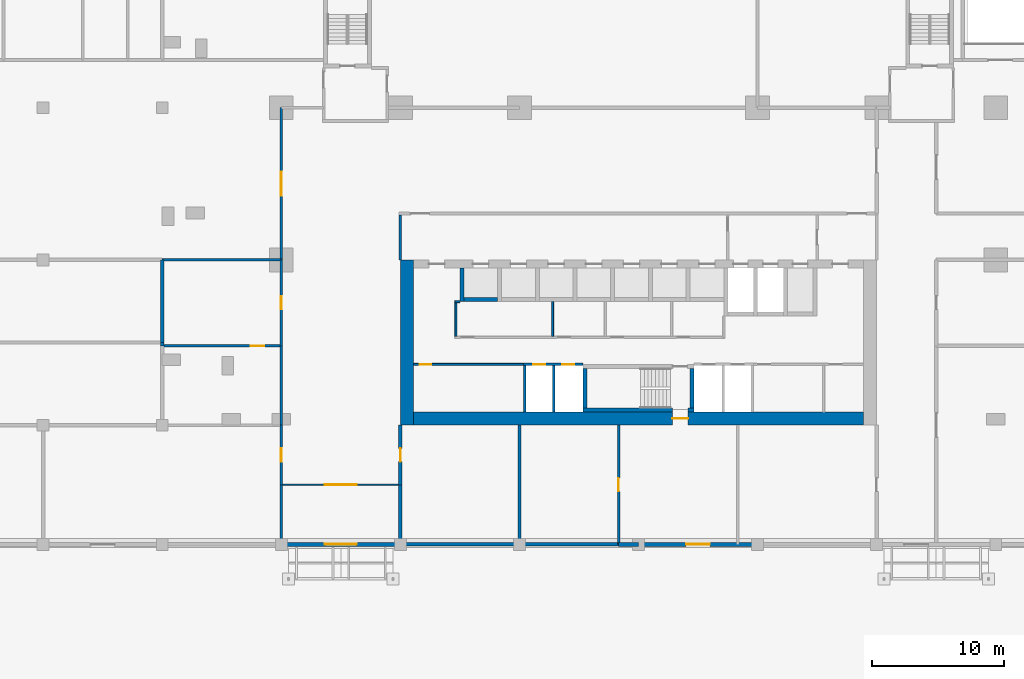
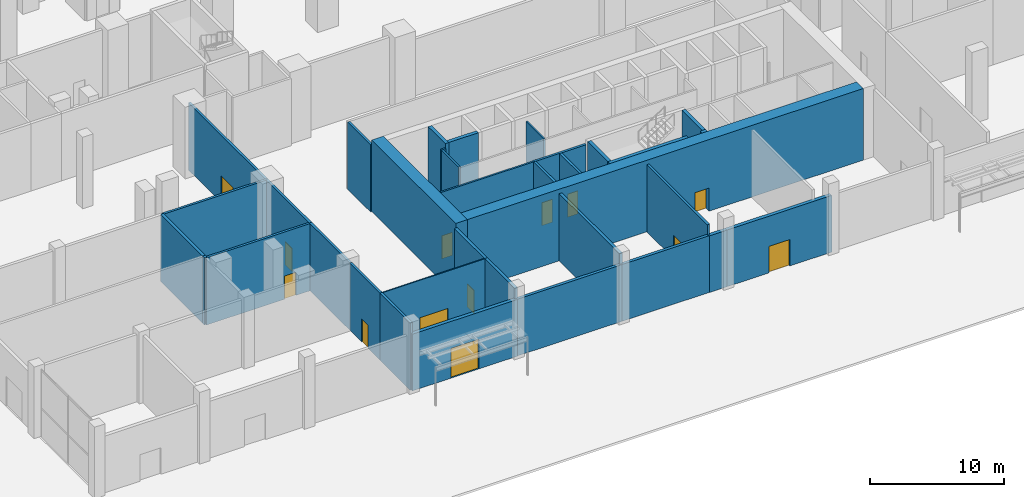
# One storey, part 29 of 39: 35 walls, 13 doors, 13 openings.
"""IFC4 building model written with IfcOpenShell, lengths in metres."""

from ifc_helpers import new_model, si_unit, direction, frame, frame_2d, origin, place, context, subcontext, project, spatial, rectangle, extrude, material, layer, layer_set, type_object, element, fill, save


model = new_model("IFC4")

# Units and contexts
model_context = context("Model", 3, precision=1e-05, world=origin(), true_north=direction((0.0, 1.0)))
body_context = subcontext(model_context, "Body", "Model", "MODEL_VIEW")
ifc_project = project(units=[si_unit("LENGTHUNIT", "METRE"), si_unit("AREAUNIT", "SQUARE_METRE"), si_unit("VOLUMEUNIT", "CUBIC_METRE"), si_unit("PLANEANGLEUNIT", "RADIAN"), si_unit("MASSUNIT", "GRAM", prefix="KILO")], contexts=[model_context])

# Site, building, storey
site_placement = place(None, origin())
site = spatial("IfcSite", under=ifc_project, at=site_placement, CompositionType="ELEMENT")
building_placement = place(site_placement, origin())
building = spatial("IfcBuilding", under=site, at=building_placement, Name="Brigalow Station Residences", CompositionType="ELEMENT")
storey_placement = place(building_placement, origin())
storey = spatial("IfcBuildingStorey", under=building, at=storey_placement, Name="L00", CompositionType="ELEMENT", Elevation=0.0)

# Wall
ifc_material_1 = material(Name="Concrete C80", Category="concrete")
ifc_layer_1 = layer(ifc_material_1, 1.0)
ifc_layer_set_1 = layer_set([ifc_layer_1], Name="CORE SHEAR WALL 1000 C80")
wall_type_1 = type_object("IfcWallType", Name="CORE SHEAR WALL 1000 C80", PredefinedType="SHEAR", material=ifc_layer_set_1)
wall_1_placement = place(storey_placement, frame((18.5, 0.0, 0.0), z_axis=(0.0, 0.0, 1.0), x_axis=(0.0, 1.0, 0.0)))
element("IfcWall", 1, at=wall_1_placement, inside=storey, type_object=wall_type_1, Name="CORE WALL OUT-W L00", PredefinedType="SHEAR", context=body_context, shape_type="SweptSolid", body=[
    extrude(rectangle(XDim=12.5, YDim=1.0, at=frame_2d((6.25, 0.0))), origin(), (0.0, 0.0, 1.0), 6.5),
])

# Wall, opening, door
wall_2_placement = place(storey_placement, frame((19.0, 0.5, 0.0), z_axis=(0.0, 0.0, 1.0), x_axis=(1.0, 0.0, 0.0)))
wall_2 = element("IfcWall", 2, at=wall_2_placement, inside=storey, type_object=wall_type_1, Name="CORE WALL OUT-S L00", PredefinedType="SHEAR", context=body_context, shape_type="SweptSolid", body=[
    extrude(rectangle(XDim=34.0, YDim=1.0, at=frame_2d((17.0, 0.0))), origin(), (0.0, 0.0, 1.0), 6.5),
])
opening_1_placement = place(wall_2_placement, frame((19.550048828125, 0.0, 0.0)))
opening_1 = element("IfcOpeningElement", 3, at=opening_1_placement, cuts=wall_2, Name="Opening D-5028", PredefinedType="OPENING", context=body_context, shape_type="SweptSolid", body=[
    extrude(rectangle(XDim=1.199951171875, YDim=2.10009765625, at=frame_2d((0.60009765625, 1.050048828125))), frame((0.0, 0.510009765625, 0.0), z_axis=(0.0, -1.0, 0.0), x_axis=(1.0, 0.0, 0.0)), (0.0, 0.0, 1.0), 1.02001953125),
])
ifc_material_2 = material(Name="Steel fire door leaves in steel frame", Category="steel")
door_type_1 = type_object("IfcDoorType", Name="EXIT DOOR 1200 x 2100 FD60S", OperationType="SINGLE_SWING_LEFT", PredefinedType="DOOR", material=ifc_material_2)
door_1_placement = place(opening_1_placement, frame((1.199951171875, 0.0, 0.0), z_axis=(0.0, 0.0, 1.0), x_axis=(-1.0, 0.0, 0.0)))
door_1 = element("IfcDoor", 4, at=door_1_placement, inside=storey, type_object=door_type_1, Name="D-5028", OperationType="SINGLE_SWING_LEFT", OverallHeight=2.10009765625, OverallWidth=1.199951171875, PredefinedType="DOOR", context=body_context, shape_type="SweptSolid", body=[
    extrude(rectangle(XDim=1.199951171875, YDim=2.10009765625, at=frame_2d((0.60009765625, 1.050048828125))), frame((0.0, 0.02490234375, 0.0), z_axis=(0.0, -1.0, 0.0), x_axis=(1.0, 0.0, 0.0)), (0.0, 0.0, 1.0), 0.050048828125),
])
fill(opening_1, door_1)

# Walls
ifc_material_3 = material(Name="Concrete C80", Category="concrete")
ifc_layer_2 = layer(ifc_material_3, 0.300048828125)
ifc_layer_set_2 = layer_set([ifc_layer_2], Name="CORE SHEAR WALL 300 C80")
wall_type_2 = type_object("IfcWallType", Name="CORE SHEAR WALL 300 C80", PredefinedType="SHEAR", material=ifc_layer_set_2)
wall_3_placement = place(storey_placement, frame((22.800048828125, 9.5, 0.0), z_axis=(0.0, 0.0, 1.0), x_axis=(1.0, 0.0, 0.0)))
element("IfcWall", 5, at=wall_3_placement, inside=storey, type_object=wall_type_2, Name="CORE WALL SH-P1-S L00", PredefinedType="SHEAR", context=body_context, shape_type="SweptSolid", body=[
    extrude(rectangle(XDim=2.550048828125, YDim=0.300048828125, at=frame_2d((1.27490234375, 0.0))), origin(), (0.0, 0.0, 1.0), 6.5),
])
wall_4_placement = place(storey_placement, frame((22.64990234375, 9.35009765625, 0.0), z_axis=(0.0, 0.0, 1.0), x_axis=(0.0, 1.0, 0.0)))
element("IfcWall", 6, at=wall_4_placement, inside=storey, type_object=wall_type_2, Name="CORE WALL SH-P1-W L00", PredefinedType="SHEAR", context=body_context, shape_type="SweptSolid", body=[
    extrude(rectangle(XDim=2.5498046875, YDim=0.300048828125, at=frame_2d((1.27490234375, 0.0))), origin(), (0.0, 0.0, 1.0), 6.5),
])
wall_5_placement = place(storey_placement, frame((31.800048828125, 1.14990234375, 0.0), z_axis=(0.0, 0.0, 1.0), x_axis=(1.0, 0.0, 0.0)))
element("IfcWall", 7, at=wall_5_placement, inside=storey, type_object=wall_type_2, Name="CORE WALL ST-S2-S-a L00", PredefinedType="SHEAR", context=body_context, shape_type="SweptSolid", body=[
    extrude(rectangle(XDim=6.75, YDim=0.300048828125, at=frame_2d((3.375, 0.0))), origin(), (0.0, 0.0, 1.0), 6.5),
])
wall_6_placement = place(storey_placement, frame((39.75, 1.14990234375, 0.0), z_axis=(0.0, 0.0, 1.0), x_axis=(1.0, 0.0, 0.0)))
element("IfcWall", 8, at=wall_6_placement, inside=storey, type_object=wall_type_2, Name="CORE WALL ST-S2-S-b L00", PredefinedType="SHEAR", context=body_context, shape_type="SweptSolid", body=[
    extrude(rectangle(XDim=0.449951171875, YDim=0.300048828125, at=frame_2d((0.22509765625, 0.0))), origin(), (0.0, 0.0, 1.0), 6.5),
])
for number, where, z_axis, x_axis, name in (
    (9, (31.949951171875, 1.300048828125, 0.0), (0.0, 0.0, 1.0), (0.0, 1.0, 0.0), "CORE WALL ST-S2-W L00"),
    (10, (40.050048828125, 1.300048828125, 0.0), (0.0, 0.0, 1.0), (0.0, 1.0, 0.0), "CORE WALL ST-S2-E L00"),
):
    element("IfcWall", number, at=place(storey_placement, frame(where, z_axis=z_axis, x_axis=x_axis)), inside=storey, type_object=wall_type_2, Name=name, PredefinedType="SHEAR", context=body_context, shape_type="SweptSolid", body=[
        extrude(rectangle(XDim=3.0, YDim=0.300048828125, at=frame_2d((1.5, 0.0))), origin(), (0.0, 0.0, 1.0), 6.5),
    ])

# Wall, opening, door
ifc_material_4 = material(Name="Glass and aluminium shopfront on a masonry base", Category="masonry")
ifc_layer_3 = layer(ifc_material_4, 0.300048828125)
ifc_layer_set_3 = layer_set([ifc_layer_3], Name="ENTRANCE INFILL 300")
wall_type_3 = type_object("IfcWallType", Name="ENTRANCE INFILL 300", PredefinedType="SOLIDWALL", material=ifc_layer_set_3)
wall_7_placement = place(storey_placement, frame((9.0, -9.0, 0.0), z_axis=(0.0, 0.0, 1.0), x_axis=(1.0, 0.0, 0.0)))
wall_7 = element("IfcWall", 11, at=wall_7_placement, inside=storey, type_object=wall_type_3, Name="Entrance Infill 300 Residents' Entrance Vestibule / OUT", PredefinedType="SOLIDWALL", context=body_context, shape_type="SweptSolid", body=[
    extrude(rectangle(XDim=9.0, YDim=0.300048828125, at=frame_2d((4.5, 0.0))), origin(), (0.0, 0.0, 1.0), 5.14794921875),
])
opening_2_placement = place(wall_7_placement, frame((3.300048828125, 0.0, 0.0)))
opening_2 = element("IfcOpeningElement", 12, at=opening_2_placement, cuts=wall_7, Name="Opening D-7103", PredefinedType="OPENING", context=body_context, shape_type="SweptSolid", body=[
    extrude(rectangle(XDim=2.39990234375, YDim=2.699951171875, at=frame_2d((1.199951171875, 1.35009765625))), frame((0.0, 0.16015625, 0.0), z_axis=(0.0, -1.0, 0.0), x_axis=(1.0, 0.0, 0.0)), (0.0, 0.0, 1.0), 0.320068359375),
])
ifc_material_5 = material(Name="Fire-rated glass leaves in steel frame", Category="steel")
door_type_2 = type_object("IfcDoorType", Name="DOOR DOUBLE 2400 GLAZED FIRE", OperationType="DOUBLE_DOOR_SINGLE_SWING", PredefinedType="DOOR", material=ifc_material_5)
door_2_placement = place(opening_2_placement, frame((2.39990234375, 0.0, 0.0), z_axis=(0.0, 0.0, 1.0), x_axis=(-1.0, 0.0, 0.0)))
door_2 = element("IfcDoor", 13, at=door_2_placement, inside=storey, type_object=door_type_2, Name="Residents' entrance outer door", OperationType="DOUBLE_DOOR_SINGLE_SWING", OverallHeight=2.699951171875, OverallWidth=2.39990234375, PredefinedType="DOOR", context=body_context, shape_type="SweptSolid", body=[
    extrude(rectangle(XDim=2.39990234375, YDim=2.699951171875, at=frame_2d((1.199951171875, 1.35009765625))), frame((0.0, 0.02490234375, 0.0), z_axis=(0.0, -1.0, 0.0), x_axis=(1.0, 0.0, 0.0)), (0.0, 0.0, 1.0), 0.050048828125),
])
fill(opening_2, door_2)

wall_8_placement = place(storey_placement, frame((36.0, -9.0, 0.0), z_axis=(0.0, 0.0, 1.0), x_axis=(1.0, 0.0, 0.0)))
wall_8 = element("IfcWall", 14, at=wall_8_placement, inside=storey, type_object=wall_type_3, Name="Entrance Infill 300 Stair S2 Exit Lobby / OUT", PredefinedType="SOLIDWALL", context=body_context, shape_type="SweptSolid", body=[
    extrude(rectangle(XDim=9.0, YDim=0.300048828125, at=frame_2d((4.5, 0.0))), origin(), (0.0, 0.0, 1.0), 5.14794921875),
])
opening_3_placement = place(wall_8_placement, frame((3.60009765625, 0.0, 0.0)))
opening_3 = element("IfcOpeningElement", 15, at=opening_3_placement, cuts=wall_8, Name="Opening D-7113", PredefinedType="OPENING", context=body_context, shape_type="SweptSolid", body=[
    extrude(rectangle(XDim=1.800048828125, YDim=2.39990234375, at=frame_2d((0.89990234375, 1.199951171875))), frame((0.0, 0.16015625, 0.0), z_axis=(0.0, -1.0, 0.0), x_axis=(1.0, 0.0, 0.0)), (0.0, 0.0, 1.0), 0.320068359375),
])
ifc_material_6 = material(Name="Steel fire door leaves in steel frame", Category="steel")
door_type_3 = type_object("IfcDoorType", Name="DOOR DOUBLE 1800 FIRE", OperationType="DOUBLE_DOOR_SINGLE_SWING", PredefinedType="DOOR", material=ifc_material_6)
door_3_placement = place(opening_3_placement, frame((1.800048828125, 0.0, 0.0), z_axis=(0.0, 0.0, 1.0), x_axis=(-1.0, 0.0, 0.0)))
door_3 = element("IfcDoor", 16, at=door_3_placement, inside=storey, type_object=door_type_3, Name="Stair S2 exit door", OperationType="DOUBLE_DOOR_SINGLE_SWING", OverallHeight=2.39990234375, OverallWidth=1.800048828125, PredefinedType="DOOR", context=body_context, shape_type="SweptSolid", body=[
    extrude(rectangle(XDim=1.800048828125, YDim=2.39990234375, at=frame_2d((0.89990234375, 1.199951171875))), frame((0.0, 0.02490234375, 0.0), z_axis=(0.0, -1.0, 0.0), x_axis=(1.0, 0.0, 0.0)), (0.0, 0.0, 1.0), 0.050048828125),
])
fill(opening_3, door_3)

# Walls
wall_9_placement = place(storey_placement, frame((34.5, -9.0, 0.0), z_axis=(0.0, 0.0, 1.0), x_axis=(1.0, 0.0, 0.0)))
element("IfcWall", 17, at=wall_9_placement, inside=storey, type_object=wall_type_3, Name="Entrance Infill 300 Stair S2 Exit Lobby / OUT", PredefinedType="SOLIDWALL", context=body_context, shape_type="SweptSolid", body=[
    extrude(rectangle(XDim=1.5, YDim=0.300048828125, at=frame_2d((0.75, 0.0))), origin(), (0.0, 0.0, 1.0), 5.14794921875),
])
ifc_material_7 = material(Name="Fire-rated plasterboard on steel studs", Category="steel")
ifc_layer_4 = layer(ifc_material_7, 0.25)
ifc_layer_set_4 = layer_set([ifc_layer_4], Name="FIRE PARTITION 250")
wall_type_4 = type_object("IfcWallType", Name="FIRE PARTITION 250", PredefinedType="PARTITIONING", material=ifc_layer_set_4)
wall_10_placement = place(storey_placement, frame((18.0, -9.0, 0.0), z_axis=(0.0, 0.0, 1.0), x_axis=(0.0, 1.0, 0.0)))
element("IfcWall", 18, at=wall_10_placement, inside=storey, type_object=wall_type_4, Name="Fire Partition 250 Residents' Entrance Vestibule / Fire Control Centre", PredefinedType="PARTITIONING", context=body_context, shape_type="SweptSolid", body=[
    extrude(rectangle(XDim=4.5, YDim=0.25, at=frame_2d((2.25, 0.0))), origin(), (0.0, 0.0, 1.0), 6.097900390625),
])

# Wall, opening, door
wall_11_placement = place(storey_placement, frame((18.0, -4.5, 0.0), z_axis=(0.0, 0.0, 1.0), x_axis=(0.0, 1.0, 0.0)))
wall_11 = element("IfcWall", 19, at=wall_11_placement, inside=storey, type_object=wall_type_4, Name="Fire Partition 250 Residents' Lobby / Fire Control Centre", PredefinedType="PARTITIONING", context=body_context, shape_type="SweptSolid", body=[
    extrude(rectangle(XDim=4.5, YDim=0.25, at=frame_2d((2.25, 0.0))), origin(), (0.0, 0.0, 1.0), 6.097900390625),
])
opening_4_placement = place(wall_11_placement, frame((1.75, 0.0, 0.0)))
opening_4 = element("IfcOpeningElement", 20, at=opening_4_placement, cuts=wall_11, Name="Opening D-7124", PredefinedType="OPENING", context=body_context, shape_type="SweptSolid", body=[
    extrude(rectangle(XDim=1.0, YDim=2.10009765625, at=frame_2d((0.5, 1.050048828125))), frame((0.0, 0.135009765625, 0.0), z_axis=(0.0, -1.0, 0.0), x_axis=(1.0, 0.0, 0.0)), (0.0, 0.0, 1.0), 0.27001953125),
])
ifc_material_8 = material(Name="Steel fire door leaf in steel frame", Category="steel")
door_type_4 = type_object("IfcDoorType", Name="DOOR SINGLE 1000 FIRE", OperationType="SINGLE_SWING_LEFT", PredefinedType="DOOR", material=ifc_material_8)
door_4_placement = place(opening_4_placement, frame((1.0, 0.0, 0.0), z_axis=(0.0, 0.0, 1.0), x_axis=(-1.0, 0.0, 0.0)))
door_4 = element("IfcDoor", 21, at=door_4_placement, inside=storey, type_object=door_type_4, Name="Fire control centre door", OperationType="SINGLE_SWING_LEFT", OverallHeight=2.10009765625, OverallWidth=1.0, PredefinedType="DOOR", context=body_context, shape_type="SweptSolid", body=[
    extrude(rectangle(XDim=1.0, YDim=2.10009765625, at=frame_2d((0.5, 1.050048828125))), frame((0.0, 0.02490234375, 0.0), z_axis=(0.0, -1.0, 0.0), x_axis=(1.0, 0.0, 0.0)), (0.0, 0.0, 1.0), 0.050048828125),
])
fill(opening_4, door_4)

# Walls
wall_12_placement = place(storey_placement, frame((27.0, -9.0, 0.0), z_axis=(0.0, 0.0, 1.0), x_axis=(0.0, 1.0, 0.0)))
element("IfcWall", 22, at=wall_12_placement, inside=storey, type_object=wall_type_4, Name="Fire Partition 250 Fire Control Centre / Residents' Storage Room", PredefinedType="PARTITIONING", context=body_context, shape_type="SweptSolid", body=[
    extrude(rectangle(XDim=9.0, YDim=0.25, at=frame_2d((4.5, 0.0))), origin(), (0.0, 0.0, 1.0), 6.097900390625),
])
wall_13_placement = place(storey_placement, frame((0.0, 6.0, 0.0), z_axis=(0.0, 0.0, 1.0), x_axis=(0.0, 1.0, 0.0)))
element("IfcWall", 23, at=wall_13_placement, inside=storey, type_object=wall_type_4, Name="Fire Partition 250 Concierge / Retail Unit 2", PredefinedType="PARTITIONING", context=body_context, shape_type="SweptSolid", body=[
    extrude(rectangle(XDim=0.25, YDim=0.25, at=frame_2d((0.125, 0.0))), origin(), (0.0, 0.0, 1.0), 6.097900390625),
])
wall_14_placement = place(storey_placement, frame((0.0, 6.25, 0.0), z_axis=(0.0, 0.0, 1.0), x_axis=(0.0, 1.0, 0.0)))
element("IfcWall", 24, at=wall_14_placement, inside=storey, type_object=wall_type_4, Name="Fire Partition 250 Concierge / Retail Unit 1", PredefinedType="PARTITIONING", context=body_context, shape_type="SweptSolid", body=[
    extrude(rectangle(XDim=6.25, YDim=0.25, at=frame_2d((3.125, 0.0))), origin(), (0.0, 0.0, 1.0), 6.097900390625),
])
wall_15_placement = place(storey_placement, frame((18.0, -9.0, 0.0), z_axis=(0.0, 0.0, 1.0), x_axis=(1.0, 0.0, 0.0)))
element("IfcWall", 25, at=wall_15_placement, inside=storey, type_object=wall_type_4, Name="Fire Partition 250 Fire Control Centre / OUT", PredefinedType="PARTITIONING", context=body_context, shape_type="SweptSolid", body=[
    extrude(rectangle(XDim=9.0, YDim=0.25, at=frame_2d((4.5, 0.0))), origin(), (0.0, 0.0, 1.0), 5.14794921875),
])
wall_16_placement = place(storey_placement, frame((27.0, -9.0, 0.0), z_axis=(0.0, 0.0, 1.0), x_axis=(1.0, 0.0, 0.0)))
element("IfcWall", 26, at=wall_16_placement, inside=storey, type_object=wall_type_4, Name="Fire Partition 250 Residents' Storage Room / OUT", PredefinedType="PARTITIONING", context=body_context, shape_type="SweptSolid", body=[
    extrude(rectangle(XDim=7.5, YDim=0.25, at=frame_2d((3.75, 0.0))), origin(), (0.0, 0.0, 1.0), 5.14794921875),
])

# Wall, openings, doors
ifc_material_9 = material(Name="Concrete blockwork", Category="masonry")
ifc_layer_5 = layer(ifc_material_9, 0.199951171875)
ifc_layer_set_5 = layer_set([ifc_layer_5], Name="FIRE RATED CORE PARTITION 200")
wall_type_5 = type_object("IfcWallType", Name="FIRE RATED CORE PARTITION 200", PredefinedType="PARTITIONING", material=ifc_layer_set_5)
wall_17_placement = place(storey_placement, frame((27.300048828125, 4.60009765625, 0.0), z_axis=(0.0, 0.0, 1.0), x_axis=(1.0, 0.0, 0.0)))
wall_17 = element("IfcWall", 27, at=wall_17_placement, inside=storey, type_object=wall_type_5, Name="PW-5017", PredefinedType="PARTITIONING", context=body_context, shape_type="SweptSolid", body=[
    extrude(rectangle(XDim=4.5, YDim=0.199951171875, at=frame_2d((2.25, 0.0))), origin(), (0.0, 0.0, 1.0), 6.097900390625),
])
opening_5_placement = place(wall_17_placement, frame((0.75, 0.0, 0.0)))
opening_5 = element("IfcOpeningElement", 28, at=opening_5_placement, cuts=wall_17, Name="Opening D-5007", PredefinedType="OPENING", context=body_context, shape_type="SweptSolid", body=[
    extrude(rectangle(XDim=0.89990234375, YDim=2.10009765625, at=frame_2d((0.449951171875, 1.050048828125))), frame((0.0, 0.10986328125, 0.0), z_axis=(0.0, -1.0, 0.0), x_axis=(1.0, 0.0, 0.0)), (0.0, 0.0, 1.0), 0.219970703125),
])
opening_6_placement = place(wall_17_placement, frame((2.949951171875, 0.0, 0.0)))
opening_6 = element("IfcOpeningElement", 29, at=opening_6_placement, cuts=wall_17, Name="Opening D-5008", PredefinedType="OPENING", context=body_context, shape_type="SweptSolid", body=[
    extrude(rectangle(XDim=0.89990234375, YDim=2.10009765625, at=frame_2d((0.449951171875, 1.050048828125))), frame((0.0, 0.10986328125, 0.0), z_axis=(0.0, -1.0, 0.0), x_axis=(1.0, 0.0, 0.0)), (0.0, 0.0, 1.0), 0.219970703125),
])
ifc_material_10 = material(Name="Steel fire door leaf in steel frame", Category="steel")
door_type_5 = type_object("IfcDoorType", Name="RISER ACCESS DOOR 900 x 2100 FD120", OperationType="SINGLE_SWING_LEFT", PredefinedType="DOOR", material=ifc_material_10)
door_5_placement = place(opening_5_placement, frame((0.89990234375, 0.0, 0.0), z_axis=(0.0, 0.0, 1.0), x_axis=(-1.0, 0.0, 0.0)))
door_5 = element("IfcDoor", 30, at=door_5_placement, inside=storey, type_object=door_type_5, Name="D-5007", OperationType="SINGLE_SWING_LEFT", OverallHeight=2.10009765625, OverallWidth=0.89990234375, PredefinedType="DOOR", context=body_context, shape_type="SweptSolid", body=[
    extrude(rectangle(XDim=0.89990234375, YDim=2.10009765625, at=frame_2d((0.449951171875, 1.050048828125))), frame((0.0, 0.02490234375, 0.0), z_axis=(0.0, -1.0, 0.0), x_axis=(1.0, 0.0, 0.0)), (0.0, 0.0, 1.0), 0.050048828125),
])
fill(opening_5, door_5)
door_6_placement = place(opening_6_placement, frame((0.89990234375, 0.0, 0.0), z_axis=(0.0, 0.0, 1.0), x_axis=(-1.0, 0.0, 0.0)))
door_6 = element("IfcDoor", 31, at=door_6_placement, inside=storey, type_object=door_type_5, Name="D-5008", OperationType="SINGLE_SWING_RIGHT", OverallHeight=2.10009765625, OverallWidth=0.89990234375, PredefinedType="DOOR", context=body_context, shape_type="SweptSolid", body=[
    extrude(rectangle(XDim=0.89990234375, YDim=2.10009765625, at=frame_2d((0.449951171875, 1.050048828125))), frame((0.0, 0.02490234375, 0.0), z_axis=(0.0, -1.0, 0.0), x_axis=(1.0, 0.0, 0.0)), (0.0, 0.0, 1.0), 0.050048828125),
])
fill(opening_6, door_6)

# Walls
wall_18_placement = place(storey_placement, frame((27.39990234375, 1.0, 0.0), z_axis=(0.0, 0.0, 1.0), x_axis=(0.0, 1.0, 0.0)))
element("IfcWall", 32, at=wall_18_placement, inside=storey, type_object=wall_type_5, Name="PW-5027", PredefinedType="PARTITIONING", context=body_context, shape_type="SweptSolid", body=[
    extrude(rectangle(XDim=3.52490234375, YDim=0.199951171875, at=frame_2d((1.762451171875, 0.0))), origin(), (0.0, 0.0, 1.0), 6.097900390625),
])
wall_19_placement = place(storey_placement, frame((29.60009765625, 1.0, 0.0), z_axis=(0.0, 0.0, 1.0), x_axis=(0.0, 1.0, 0.0)))
element("IfcWall", 33, at=wall_19_placement, inside=storey, type_object=wall_type_5, Name="PW-5006", PredefinedType="PARTITIONING", context=body_context, shape_type="SweptSolid", body=[
    extrude(rectangle(XDim=3.5, YDim=0.199951171875, at=frame_2d((1.75, 0.0))), origin(), (0.0, 0.0, 1.0), 6.097900390625),
])
wall_20_placement = place(storey_placement, frame((18.0, 12.5, 0.0), z_axis=(0.0, 0.0, 1.0), x_axis=(0.0, 1.0, 0.0)))
element("IfcWall", 34, at=wall_20_placement, inside=storey, type_object=wall_type_5, Name="PW-5013", PredefinedType="PARTITIONING", context=body_context, shape_type="SweptSolid", body=[
    extrude(rectangle(XDim=3.39990234375, YDim=0.199951171875, at=frame_2d((1.699951171875, 0.0))), origin(), (0.0, 0.0, 1.0), 6.097900390625),
])

# Wall, opening, door
ifc_material_11 = material(Name="Toughened glass in stainless steel frame", Category="steel")
ifc_layer_6 = layer(ifc_material_11, 0.10009765625)
ifc_layer_set_6 = layer_set([ifc_layer_6], Name="GLAZED SCREEN 100")
wall_type_6 = type_object("IfcWallType", Name="GLAZED SCREEN 100", PredefinedType="PARTITIONING", material=ifc_layer_set_6)
wall_21_placement = place(storey_placement, frame((9.0, -4.5, 0.0), z_axis=(0.0, 0.0, 1.0), x_axis=(1.0, 0.0, 0.0)))
wall_21 = element("IfcWall", 35, at=wall_21_placement, inside=storey, type_object=wall_type_6, Name="Glazed Screen 100 Residents' Entrance Vestibule / Residents' Lobby", PredefinedType="PARTITIONING", context=body_context, shape_type="SweptSolid", body=[
    extrude(rectangle(XDim=9.0, YDim=0.10009765625, at=frame_2d((4.5, 0.0))), origin(), (0.0, 0.0, 1.0), 6.097900390625),
])
opening_7_placement = place(wall_21_placement, frame((3.300048828125, 0.0, 0.0)))
opening_7 = element("IfcOpeningElement", 36, at=opening_7_placement, cuts=wall_21, Name="Opening D-7122", PredefinedType="OPENING", context=body_context, shape_type="SweptSolid", body=[
    extrude(rectangle(XDim=2.39990234375, YDim=2.699951171875, at=frame_2d((1.199951171875, 1.35009765625))), frame((0.0, 0.06005859375, 0.0), z_axis=(0.0, -1.0, 0.0), x_axis=(1.0, 0.0, 0.0)), (0.0, 0.0, 1.0), 0.1201171875),
])
door_7_placement = place(opening_7_placement, origin())
door_7 = element("IfcDoor", 37, at=door_7_placement, inside=storey, type_object=door_type_2, Name="Residents' entrance inner door", OperationType="DOUBLE_DOOR_SINGLE_SWING", OverallHeight=2.699951171875, OverallWidth=2.39990234375, PredefinedType="DOOR", context=body_context, shape_type="SweptSolid", body=[
    extrude(rectangle(XDim=2.39990234375, YDim=2.699951171875, at=frame_2d((1.199951171875, 1.35009765625))), frame((0.0, 0.02490234375, 0.0), z_axis=(0.0, -1.0, 0.0), x_axis=(1.0, 0.0, 0.0)), (0.0, 0.0, 1.0), 0.050048828125),
])
fill(opening_7, door_7)

# Wall
ifc_material_12 = material(Name="Plasterboard on steel studs with acoustic insulation", Category="steel")
ifc_layer_7 = layer(ifc_material_12, 0.199951171875)
ifc_layer_set_7 = layer_set([ifc_layer_7], Name="PARTITION 200")
wall_type_7 = type_object("IfcWallType", Name="PARTITION 200", PredefinedType="PARTITIONING", material=ifc_layer_set_7)
wall_22_placement = place(storey_placement, frame((9.0, -9.0, 0.0), z_axis=(0.0, 0.0, 1.0), x_axis=(0.0, 1.0, 0.0)))
element("IfcWall", 38, at=wall_22_placement, inside=storey, type_object=wall_type_7, Name="Partition 200 Bicycle Store / Residents' Entrance Vestibule", PredefinedType="PARTITIONING", context=body_context, shape_type="SweptSolid", body=[
    extrude(rectangle(XDim=4.5, YDim=0.199951171875, at=frame_2d((2.25, 0.0))), origin(), (0.0, 0.0, 1.0), 6.097900390625),
])

# Wall, opening, door
wall_23_placement = place(storey_placement, frame((9.0, -4.5, 0.0), z_axis=(0.0, 0.0, 1.0), x_axis=(0.0, 1.0, 0.0)))
wall_23 = element("IfcWall", 39, at=wall_23_placement, inside=storey, type_object=wall_type_7, Name="Partition 200 Bicycle Store / Residents' Lobby", PredefinedType="PARTITIONING", context=body_context, shape_type="SweptSolid", body=[
    extrude(rectangle(XDim=4.5, YDim=0.199951171875, at=frame_2d((2.25, 0.0))), origin(), (0.0, 0.0, 1.0), 6.097900390625),
])
opening_8_placement = place(wall_23_placement, frame((1.75, 0.0, 0.0)))
opening_8 = element("IfcOpeningElement", 40, at=opening_8_placement, cuts=wall_23, Name="Opening D-7123", PredefinedType="OPENING", context=body_context, shape_type="SweptSolid", body=[
    extrude(rectangle(XDim=1.0, YDim=2.10009765625, at=frame_2d((0.5, 1.050048828125))), frame((0.0, 0.10986328125, 0.0), z_axis=(0.0, -1.0, 0.0), x_axis=(1.0, 0.0, 0.0)), (0.0, 0.0, 1.0), 0.219970703125),
])
door_8_placement = place(opening_8_placement, origin())
door_8 = element("IfcDoor", 41, at=door_8_placement, inside=storey, type_object=door_type_4, Name="Bicycle store door to lobby", OperationType="SINGLE_SWING_RIGHT", OverallHeight=2.10009765625, OverallWidth=1.0, PredefinedType="DOOR", context=body_context, shape_type="SweptSolid", body=[
    extrude(rectangle(XDim=1.0, YDim=2.10009765625, at=frame_2d((0.5, 1.050048828125))), frame((0.0, 0.02490234375, 0.0), z_axis=(0.0, -1.0, 0.0), x_axis=(1.0, 0.0, 0.0)), (0.0, 0.0, 1.0), 0.050048828125),
])
fill(opening_8, door_8)

# Wall
wall_24_placement = place(storey_placement, frame((9.0, 0.0, 0.0), z_axis=(0.0, 0.0, 1.0), x_axis=(0.0, 1.0, 0.0)))
element("IfcWall", 42, at=wall_24_placement, inside=storey, type_object=wall_type_7, Name="Partition 200 Residents' Lobby / Mail And Parcel Room", PredefinedType="PARTITIONING", context=body_context, shape_type="SweptSolid", body=[
    extrude(rectangle(XDim=6.0, YDim=0.199951171875, at=frame_2d((3.0, 0.0))), origin(), (0.0, 0.0, 1.0), 6.097900390625),
])

# Wall, opening, door
wall_25_placement = place(storey_placement, frame((9.0, 6.0, 0.0), z_axis=(0.0, 0.0, 1.0), x_axis=(0.0, 1.0, 0.0)))
wall_25 = element("IfcWall", 43, at=wall_25_placement, inside=storey, type_object=wall_type_7, Name="Partition 200 Residents' Lobby / Concierge", PredefinedType="PARTITIONING", context=body_context, shape_type="SweptSolid", body=[
    extrude(rectangle(XDim=6.5, YDim=0.199951171875, at=frame_2d((3.25, 0.0))), origin(), (0.0, 0.0, 1.0), 6.097900390625),
])
opening_9_placement = place(wall_25_placement, frame((2.75, 0.0, 0.0)))
opening_9 = element("IfcOpeningElement", 44, at=opening_9_placement, cuts=wall_25, Name="Opening D-7125", PredefinedType="OPENING", context=body_context, shape_type="SweptSolid", body=[
    extrude(rectangle(XDim=1.0, YDim=2.10009765625, at=frame_2d((0.5, 1.050048828125))), frame((0.0, 0.10986328125, 0.0), z_axis=(0.0, -1.0, 0.0), x_axis=(1.0, 0.0, 0.0)), (0.0, 0.0, 1.0), 0.219970703125),
])
door_9_placement = place(opening_9_placement, origin())
door_9 = element("IfcDoor", 45, at=door_9_placement, inside=storey, type_object=door_type_4, Name="Concierge door", OperationType="SINGLE_SWING_LEFT", OverallHeight=2.10009765625, OverallWidth=1.0, PredefinedType="DOOR", context=body_context, shape_type="SweptSolid", body=[
    extrude(rectangle(XDim=1.0, YDim=2.10009765625, at=frame_2d((0.5, 1.050048828125))), frame((0.0, 0.02490234375, 0.0), z_axis=(0.0, -1.0, 0.0), x_axis=(1.0, 0.0, 0.0)), (0.0, 0.0, 1.0), 0.050048828125),
])
fill(opening_9, door_9)

wall_26_placement = place(storey_placement, frame((9.0, 12.5, 0.0), z_axis=(0.0, 0.0, 1.0), x_axis=(0.0, 1.0, 0.0)))
wall_26 = element("IfcWall", 46, at=wall_26_placement, inside=storey, type_object=wall_type_7, Name="Partition 200 Residents' Lobby / West Exit Lobby", PredefinedType="PARTITIONING", context=body_context, shape_type="SweptSolid", body=[
    extrude(rectangle(XDim=11.5, YDim=0.199951171875, at=frame_2d((5.75, 0.0))), origin(), (0.0, 0.0, 1.0), 6.097900390625),
])
opening_10_placement = place(wall_26_placement, frame((4.85009765625, 0.0, 0.0)))
opening_10 = element("IfcOpeningElement", 47, at=opening_10_placement, cuts=wall_26, Name="Opening D-7130", PredefinedType="OPENING", context=body_context, shape_type="SweptSolid", body=[
    extrude(rectangle(XDim=1.800048828125, YDim=2.39990234375, at=frame_2d((0.89990234375, 1.199951171875))), frame((0.0, 0.10986328125, 0.0), z_axis=(0.0, -1.0, 0.0), x_axis=(1.0, 0.0, 0.0)), (0.0, 0.0, 1.0), 0.219970703125),
])
door_10_placement = place(opening_10_placement, origin())
door_10 = element("IfcDoor", 48, at=door_10_placement, inside=storey, type_object=door_type_3, Name="West exit lobby door to lobby", OperationType="DOUBLE_DOOR_SINGLE_SWING", OverallHeight=2.39990234375, OverallWidth=1.800048828125, PredefinedType="DOOR", context=body_context, shape_type="SweptSolid", body=[
    extrude(rectangle(XDim=1.800048828125, YDim=2.39990234375, at=frame_2d((0.89990234375, 1.199951171875))), frame((0.0, 0.02490234375, 0.0), z_axis=(0.0, -1.0, 0.0), x_axis=(1.0, 0.0, 0.0)), (0.0, 0.0, 1.0), 0.050048828125),
])
fill(opening_10, door_10)

wall_27_placement = place(storey_placement, frame((0.0, 6.0, 0.0), z_axis=(0.0, 0.0, 1.0), x_axis=(1.0, 0.0, 0.0)))
wall_27 = element("IfcWall", 49, at=wall_27_placement, inside=storey, type_object=wall_type_7, Name="Partition 200 Mail And Parcel Room / Concierge", PredefinedType="PARTITIONING", context=body_context, shape_type="SweptSolid", body=[
    extrude(rectangle(XDim=9.0, YDim=0.199951171875, at=frame_2d((4.5, 0.0))), origin(), (0.0, 0.0, 1.0), 6.097900390625),
])
opening_11_placement = place(wall_27_placement, frame((6.699951171875, 0.0, 0.0)))
opening_11 = element("IfcOpeningElement", 50, at=opening_11_placement, cuts=wall_27, Name="Opening D-7126", PredefinedType="OPENING", context=body_context, shape_type="SweptSolid", body=[
    extrude(rectangle(XDim=1.0, YDim=2.10009765625, at=frame_2d((0.5, 1.050048828125))), frame((0.0, 0.10986328125, 0.0), z_axis=(0.0, -1.0, 0.0), x_axis=(1.0, 0.0, 0.0)), (0.0, 0.0, 1.0), 0.219970703125),
])
ifc_material_13 = material(Name="Timber door leaf in steel frame", Category="steel")
door_type_6 = type_object("IfcDoorType", Name="DOOR SINGLE 1000", OperationType="SINGLE_SWING_LEFT", PredefinedType="DOOR", material=ifc_material_13)
door_11_placement = place(opening_11_placement, frame((1.0, 0.0, 0.0), z_axis=(0.0, 0.0, 1.0), x_axis=(-1.0, 0.0, 0.0)))
door_11 = element("IfcDoor", 51, at=door_11_placement, inside=storey, type_object=door_type_6, Name="Mail and parcel room door", OperationType="SINGLE_SWING_LEFT", OverallHeight=2.10009765625, OverallWidth=1.0, PredefinedType="DOOR", context=body_context, shape_type="SweptSolid", body=[
    extrude(rectangle(XDim=1.0, YDim=2.10009765625, at=frame_2d((0.5, 1.050048828125))), frame((0.0, 0.02490234375, 0.0), z_axis=(0.0, -1.0, 0.0), x_axis=(1.0, 0.0, 0.0)), (0.0, 0.0, 1.0), 0.050048828125),
])
fill(opening_11, door_11)

# Wall
wall_28_placement = place(storey_placement, frame((0.0, 12.5, 0.0), z_axis=(0.0, 0.0, 1.0), x_axis=(1.0, 0.0, 0.0)))
element("IfcWall", 52, at=wall_28_placement, inside=storey, type_object=wall_type_7, Name="Partition 200 Concierge / West Exit Lobby", PredefinedType="PARTITIONING", context=body_context, shape_type="SweptSolid", body=[
    extrude(rectangle(XDim=9.0, YDim=0.199951171875, at=frame_2d((4.5, 0.0))), origin(), (0.0, 0.0, 1.0), 6.097900390625),
])

# Wall, opening, door
wall_29_placement = place(storey_placement, frame((34.5, -9.0, 0.0), z_axis=(0.0, 0.0, 1.0), x_axis=(0.0, 1.0, 0.0)))
wall_29 = element("IfcWall", 53, at=wall_29_placement, inside=storey, type_object=wall_type_7, Name="Partition 200 Residents' Storage Room / Stair S2 Exit Lobby", PredefinedType="PARTITIONING", context=body_context, shape_type="SweptSolid", body=[
    extrude(rectangle(XDim=9.0, YDim=0.199951171875, at=frame_2d((4.5, 0.0))), origin(), (0.0, 0.0, 1.0), 6.097900390625),
])
opening_12_placement = place(wall_29_placement, frame((4.0, 0.0, 0.0)))
opening_12 = element("IfcOpeningElement", 54, at=opening_12_placement, cuts=wall_29, Name="Opening D-7128", PredefinedType="OPENING", context=body_context, shape_type="SweptSolid", body=[
    extrude(rectangle(XDim=1.0, YDim=2.10009765625, at=frame_2d((0.5, 1.050048828125))), frame((0.0, 0.10986328125, 0.0), z_axis=(0.0, -1.0, 0.0), x_axis=(1.0, 0.0, 0.0)), (0.0, 0.0, 1.0), 0.219970703125),
])
door_12_placement = place(opening_12_placement, frame((1.0, 0.0, 0.0), z_axis=(0.0, 0.0, 1.0), x_axis=(-1.0, 0.0, 0.0)))
door_12 = element("IfcDoor", 55, at=door_12_placement, inside=storey, type_object=door_type_4, Name="Residents' storage room door", OperationType="SINGLE_SWING_RIGHT", OverallHeight=2.10009765625, OverallWidth=1.0, PredefinedType="DOOR", context=body_context, shape_type="SweptSolid", body=[
    extrude(rectangle(XDim=1.0, YDim=2.10009765625, at=frame_2d((0.5, 1.050048828125))), frame((0.0, 0.02490234375, 0.0), z_axis=(0.0, -1.0, 0.0), x_axis=(1.0, 0.0, 0.0)), (0.0, 0.0, 1.0), 0.050048828125),
])
fill(opening_12, door_12)

ifc_material_14 = material(Name="Plasterboard on steel studs", Category="steel")
ifc_layer_8 = layer(ifc_material_14, 0.14990234375)
ifc_layer_set_8 = layer_set([ifc_layer_8], Name="SERVICE ROOM PARTITION 150")
wall_type_8 = type_object("IfcWallType", Name="SERVICE ROOM PARTITION 150", PredefinedType="PARTITIONING", material=ifc_layer_set_8)
wall_30_placement = place(storey_placement, frame((19.0, 4.60009765625, 0.0), z_axis=(0.0, 0.0, 1.0), x_axis=(1.0, 0.0, 0.0)))
wall_30 = element("IfcWall", 56, at=wall_30_placement, inside=storey, type_object=wall_type_8, Name="PW-5019", PredefinedType="PARTITIONING", context=body_context, shape_type="SweptSolid", body=[
    extrude(rectangle(XDim=8.300048828125, YDim=0.14990234375, at=frame_2d((4.14990234375, 0.0))), origin(), (0.0, 0.0, 1.0), 6.097900390625),
])
opening_13_placement = place(wall_30_placement, frame((0.449951171875, 0.0, 0.0)))
opening_13 = element("IfcOpeningElement", 57, at=opening_13_placement, cuts=wall_30, Name="Opening D-5025", PredefinedType="OPENING", context=body_context, shape_type="SweptSolid", body=[
    extrude(rectangle(XDim=0.89990234375, YDim=2.10009765625, at=frame_2d((0.449951171875, 1.050048828125))), frame((0.0, 0.0849609375, 0.0), z_axis=(0.0, -1.0, 0.0), x_axis=(1.0, 0.0, 0.0)), (0.0, 0.0, 1.0), 0.169921875),
])
ifc_material_15 = material(Name="Steel door leaf in steel frame", Category="steel")
door_type_7 = type_object("IfcDoorType", Name="SERVICE ROOM DOOR 900 x 2100 FD60", OperationType="SINGLE_SWING_LEFT", PredefinedType="DOOR", material=ifc_material_15)
door_13_placement = place(opening_13_placement, frame((0.89990234375, 0.0, 0.0), z_axis=(0.0, 0.0, 1.0), x_axis=(-1.0, 0.0, 0.0)))
door_13 = element("IfcDoor", 58, at=door_13_placement, inside=storey, type_object=door_type_7, Name="D-5025", OperationType="SINGLE_SWING_RIGHT", OverallHeight=2.10009765625, OverallWidth=0.89990234375, PredefinedType="DOOR", context=body_context, shape_type="SweptSolid", body=[
    extrude(rectangle(XDim=0.89990234375, YDim=2.10009765625, at=frame_2d((0.449951171875, 1.050048828125))), frame((0.0, 0.02490234375, 0.0), z_axis=(0.0, -1.0, 0.0), x_axis=(1.0, 0.0, 0.0)), (0.0, 0.0, 1.0), 0.050048828125),
])
fill(opening_13, door_13)

# Walls
wall_31_placement = place(storey_placement, frame((22.125, 9.35009765625, 0.0), z_axis=(0.0, 0.0, 1.0), x_axis=(1.0, 0.0, 0.0)))
element("IfcWall", 59, at=wall_31_placement, inside=storey, type_object=wall_type_8, Name="PW-5022", PredefinedType="PARTITIONING", context=body_context, shape_type="SweptSolid", body=[
    extrude(rectangle(XDim=0.375, YDim=0.14990234375, at=frame_2d((0.1875, 0.0))), origin(), (0.0, 0.0, 1.0), 6.097900390625),
])
wall_32_placement = place(storey_placement, frame((22.199951171875, 6.72509765625, 0.0), z_axis=(0.0, 0.0, 1.0), x_axis=(0.0, 1.0, 0.0)))
element("IfcWall", 60, at=wall_32_placement, inside=storey, type_object=wall_type_8, Name="PW-5030", PredefinedType="PARTITIONING", context=body_context, shape_type="SweptSolid", body=[
    extrude(rectangle(XDim=2.5498046875, YDim=0.14990234375, at=frame_2d((1.27490234375, 0.0))), origin(), (0.0, 0.0, 1.0), 6.097900390625),
])
wall_33_placement = place(storey_placement, frame((29.5, 6.72509765625, 0.0), z_axis=(0.0, 0.0, 1.0), x_axis=(0.0, 1.0, 0.0)))
element("IfcWall", 61, at=wall_33_placement, inside=storey, type_object=wall_type_8, Name="PW-5031", PredefinedType="PARTITIONING", context=body_context, shape_type="SweptSolid", body=[
    extrude(rectangle(XDim=2.625, YDim=0.14990234375, at=frame_2d((1.3125, 0.0))), origin(), (0.0, 0.0, 1.0), 6.097900390625),
])

save(model, "model.ifc")
